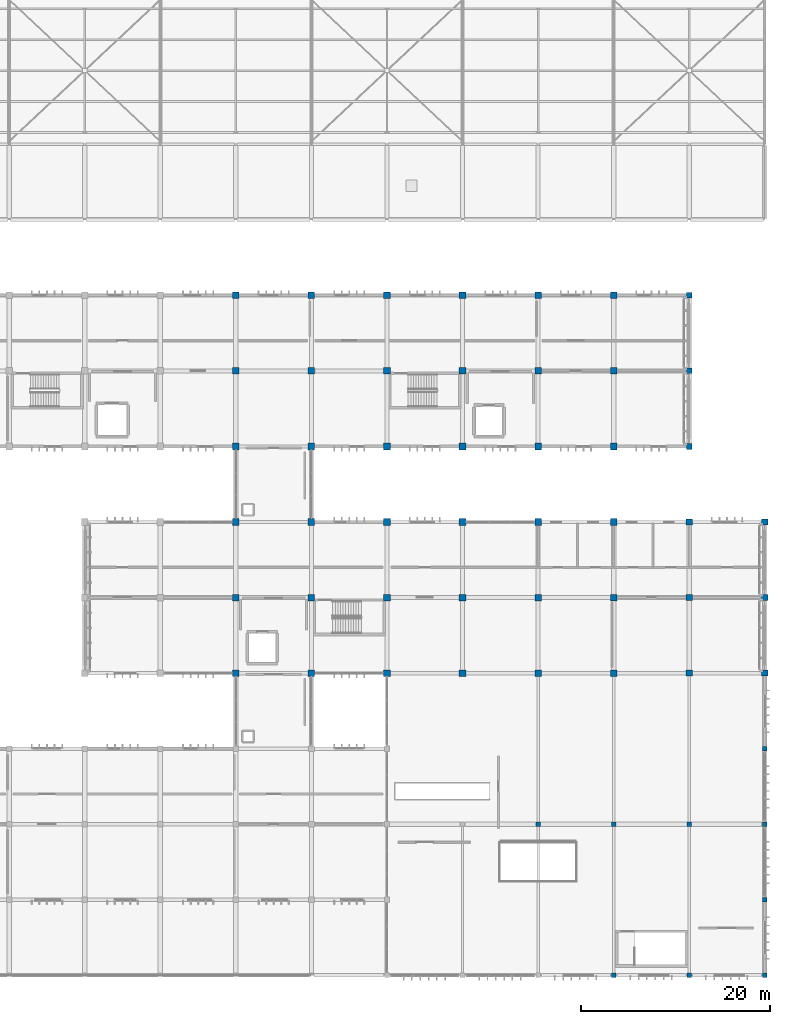
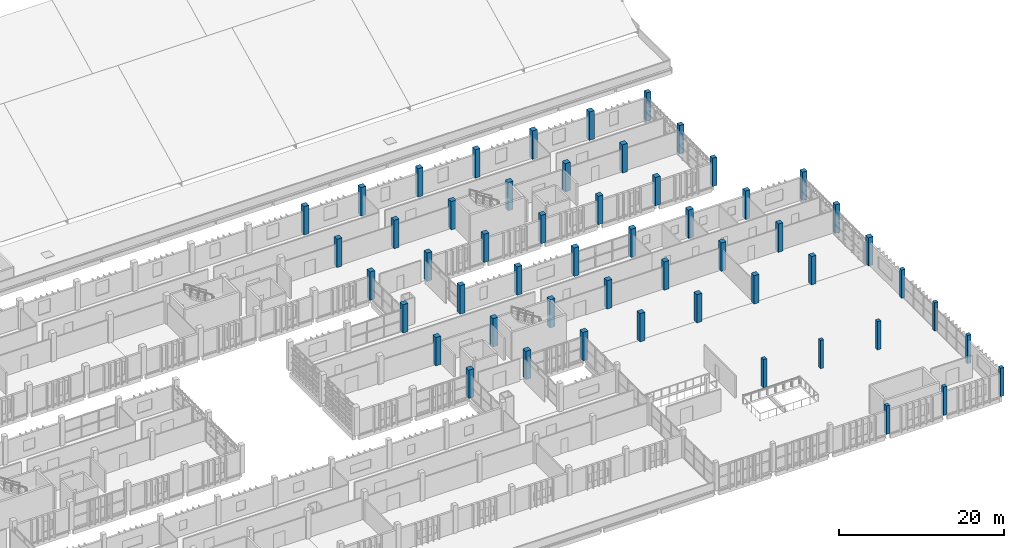
# One storey, part 7 of 137: 54 columns.
"""IFC4 building model written with IfcOpenShell, lengths in metres."""

from ifc_helpers import new_model, si_unit, direction, frame, origin, origin_2d, place, context, subcontext, project, spatial, rectangle, extrude, material, material_profile, profile_set, type_object, element, save


model = new_model("IFC4")

# Units and contexts
model_context = context("Model", 3, precision=1e-05, world=origin(), true_north=direction((0.0, 1.0)))
body_context = subcontext(model_context, "Body", "Model", "MODEL_VIEW")
ifc_project = project(units=[si_unit("LENGTHUNIT", "METRE"), si_unit("AREAUNIT", "SQUARE_METRE"), si_unit("VOLUMEUNIT", "CUBIC_METRE"), si_unit("PLANEANGLEUNIT", "RADIAN"), si_unit("MASSUNIT", "GRAM", prefix="KILO")], contexts=[model_context])

# Site, building, storey
site_placement = place(None, origin())
site = spatial("IfcSite", under=ifc_project, at=site_placement, CompositionType="ELEMENT")
building_placement = place(site_placement, origin())
building = spatial("IfcBuilding", under=site, at=building_placement, Name="Jelvoka-Kovrelna Polytechnic", CompositionType="ELEMENT")
storey_placement = place(building_placement, frame((0.0, 0.0, 9.60009765625)))
storey = spatial("IfcBuildingStorey", under=building, at=storey_placement, Name="L03", CompositionType="ELEMENT", Elevation=9.60009765625)

# Columns
ifc_material_1 = material(Name="Concrete C40/50", Category="concrete")
ifc_material_profile_1 = material_profile(ifc_material_1, rectangle(XDim=0.449951171875, YDim=0.449951171875, at=origin_2d()), Name="RC 450x450")
ifc_profile_set_1 = profile_set([ifc_material_profile_1], Name="Concrete C40/50")
column_type_1 = type_object("IfcColumnType", Name="Col_RC_450", PredefinedType="COLUMN", material=ifc_profile_set_1)
column_placement = place(storey_placement, frame((184.0, 16.0, 0.0), z_axis=(0.0, 0.0, 1.0), x_axis=(1.0, 0.0, 0.0)))
element("IfcColumn", 1, at=column_placement, inside=storey, type_object=column_type_1, Name="L03 column 0286", PredefinedType="COLUMN", context=body_context, shape_type="SweptSolid", body=[
    extrude(rectangle(XDim=0.449951171875, YDim=0.449951171875, at=origin_2d()), origin(), (0.0, 0.0, 1.0), 4.199951171875),
])
ifc_material_2 = material(Name="Concrete C40/50", Category="concrete")
ifc_material_profile_2 = material_profile(ifc_material_2, rectangle(XDim=0.5, YDim=0.5, at=origin_2d()), Name="RC 500x500")
ifc_profile_set_2 = profile_set([ifc_material_profile_2], Name="Concrete C40/50")
column_type_2 = type_object("IfcColumnType", Name="Col_RC_500", PredefinedType="COLUMN", material=ifc_profile_set_2)
for number, where, z_axis, x_axis, name in (
    (2, (184.0, 0.0, 0.0), (0.0, 0.0, 1.0), (0.0, 1.0, 0.0), "L03 column 0075"),
    (3, (192.0, 0.0, 0.0), (0.0, 0.0, 1.0), (0.0, 1.0, 0.0), "L03 column 0079"),
    (4, (200.0, 0.0, 0.0), (0.0, 0.0, 1.0), (0.0, 1.0, 0.0), "L03 column 0083"),
    (5, (200.0, 8.0, 0.0), (0.0, 0.0, 1.0), (0.0, 1.0, 0.0), "L03 column 0181"),
    (6, (176.0, 16.0, 0.0), (0.0, 0.0, 1.0), (1.0, 0.0, 0.0), "L03 column 0282"),
    (7, (192.0, 16.0, 0.0), (0.0, 0.0, 1.0), (1.0, 0.0, 0.0), "L03 column 0290"),
    (8, (200.0, 16.0, 0.0), (0.0, 0.0, 1.0), (0.0, 1.0, 0.0), "L03 column 0294"),
    (9, (200.0, 24.0, 0.0), (0.0, 0.0, 1.0), (0.0, 1.0, 0.0), "L03 column 0407"),
):
    element("IfcColumn", number, at=place(storey_placement, frame(where, z_axis=z_axis, x_axis=x_axis)), inside=storey, type_object=column_type_2, Name=name, PredefinedType="COLUMN", context=body_context, shape_type="SweptSolid", body=[
        extrude(rectangle(XDim=0.5, YDim=0.5, at=origin_2d()), origin(), (0.0, 0.0, 1.0), 4.199951171875),
    ])
ifc_material_3 = material(Name="Concrete C40/50", Category="concrete")
ifc_material_profile_3 = material_profile(ifc_material_3, rectangle(XDim=0.60009765625, YDim=0.60009765625, at=origin_2d()), Name="RC 600x600")
ifc_profile_set_3 = profile_set([ifc_material_profile_3], Name="Concrete C40/50")
column_type_3 = type_object("IfcColumnType", Name="Col_RC_600", PredefinedType="COLUMN", material=ifc_profile_set_3)
for number, where, z_axis, x_axis, name in (
    (10, (192.0, 56.0, 0.0), (0.0, 0.0, 1.0), (1.0, 0.0, 0.0), "L03 column 1130"),
    (11, (192.0, 64.0, 0.0), (0.0, 0.0, 1.0), (1.0, 0.0, 0.0), "L03 column 1297"),
    (12, (192.0, 72.0, 0.0), (0.0, 0.0, 1.0), (1.0, 0.0, 0.0), "L03 column 1458"),
):
    element("IfcColumn", number, at=place(storey_placement, frame(where, z_axis=z_axis, x_axis=x_axis)), inside=storey, type_object=column_type_3, Name=name, PredefinedType="COLUMN", context=body_context, shape_type="SweptSolid", body=[
        extrude(rectangle(XDim=0.60009765625, YDim=0.60009765625, at=origin_2d()), origin(), (0.0, 0.0, 1.0), 4.199951171875),
    ])
ifc_material_4 = material(Name="Concrete C40/50", Category="concrete")
ifc_material_profile_4 = material_profile(ifc_material_4, rectangle(XDim=0.64990234375, YDim=0.64990234375, at=origin_2d()), Name="RC 650x650")
ifc_profile_set_4 = profile_set([ifc_material_profile_4], Name="Concrete C40/50")
column_type_4 = type_object("IfcColumnType", Name="Col_RC_650", PredefinedType="COLUMN", material=ifc_profile_set_4)
for number, where, z_axis, x_axis, name in (
    (13, (192.0, 32.0, 0.0), (0.0, 0.0, 1.0), (1.0, 0.0, 0.0), "L03 column 0561"),
    (14, (200.0, 32.0, 0.0), (0.0, 0.0, 1.0), (1.0, 0.0, 0.0), "L03 column 0568"),
    (15, (192.0, 40.0, 0.0), (0.0, 0.0, 1.0), (1.0, 0.0, 0.0), "L03 column 0743"),
    (16, (200.0, 40.0, 0.0), (0.0, 0.0, 1.0), (1.0, 0.0, 0.0), "L03 column 0750"),
    (17, (192.0, 48.0, 0.0), (0.0, 0.0, 1.0), (1.0, 0.0, 0.0), "L03 column 0907"),
    (18, (200.0, 48.0, 0.0), (0.0, 0.0, 1.0), (1.0, 0.0, 0.0), "L03 column 0914"),
):
    element("IfcColumn", number, at=place(storey_placement, frame(where, z_axis=z_axis, x_axis=x_axis)), inside=storey, type_object=column_type_4, Name=name, PredefinedType="COLUMN", context=body_context, shape_type="SweptSolid", body=[
        extrude(rectangle(XDim=0.64990234375, YDim=0.64990234375, at=origin_2d()), origin(), (0.0, 0.0, 1.0), 4.199951171875),
    ])
ifc_material_5 = material(Name="Concrete C40/50", Category="concrete")
ifc_material_profile_5 = material_profile(ifc_material_5, rectangle(XDim=0.699951171875, YDim=0.699951171875, at=origin_2d()), Name="RC 700x700")
ifc_profile_set_5 = profile_set([ifc_material_profile_5], Name="Concrete C40/50")
column_type_5 = type_object("IfcColumnType", Name="Col_RC_700", PredefinedType="COLUMN", material=ifc_profile_set_5)
for number, where, z_axis, x_axis, name in (
    (19, (144.0, 32.0, 0.0), (0.0, 0.0, 1.0), (1.0, 0.0, 0.0), "L03 column 0513"),
    (20, (152.0, 32.0, 0.0), (0.0, 0.0, 1.0), (1.0, 0.0, 0.0), "L03 column 0521"),
    (21, (160.0, 32.0, 0.0), (0.0, 0.0, 1.0), (1.0, 0.0, 0.0), "L03 column 0529"),
    (22, (168.0, 32.0, 0.0), (0.0, 0.0, 1.0), (1.0, 0.0, 0.0), "L03 column 0537"),
    (23, (176.0, 32.0, 0.0), (0.0, 0.0, 1.0), (1.0, 0.0, 0.0), "L03 column 0545"),
    (24, (184.0, 32.0, 0.0), (0.0, 0.0, 1.0), (1.0, 0.0, 0.0), "L03 column 0553"),
    (25, (144.0, 40.0, 0.0), (0.0, 0.0, 1.0), (1.0, 0.0, 0.0), "L03 column 0695"),
    (26, (152.0, 40.0, 0.0), (0.0, 0.0, 1.0), (1.0, 0.0, 0.0), "L03 column 0703"),
    (27, (160.0, 40.0, 0.0), (0.0, 0.0, 1.0), (1.0, 0.0, 0.0), "L03 column 0711"),
    (28, (168.0, 40.0, 0.0), (0.0, 0.0, 1.0), (1.0, 0.0, 0.0), "L03 column 0719"),
    (29, (176.0, 40.0, 0.0), (0.0, 0.0, 1.0), (1.0, 0.0, 0.0), "L03 column 0727"),
    (30, (184.0, 40.0, 0.0), (0.0, 0.0, 1.0), (1.0, 0.0, 0.0), "L03 column 0735"),
    (31, (144.0, 48.0, 0.0), (0.0, 0.0, 1.0), (1.0, 0.0, 0.0), "L03 column 0859"),
    (32, (152.0, 48.0, 0.0), (0.0, 0.0, 1.0), (1.0, 0.0, 0.0), "L03 column 0867"),
    (33, (160.0, 48.0, 0.0), (0.0, 0.0, 1.0), (1.0, 0.0, 0.0), "L03 column 0875"),
    (34, (168.0, 48.0, 0.0), (0.0, 0.0, 1.0), (1.0, 0.0, 0.0), "L03 column 0883"),
    (35, (176.0, 48.0, 0.0), (0.0, 0.0, 1.0), (1.0, 0.0, 0.0), "L03 column 0891"),
    (36, (184.0, 48.0, 0.0), (0.0, 0.0, 1.0), (1.0, 0.0, 0.0), "L03 column 0899"),
    (37, (144.0, 56.0, 0.0), (0.0, 0.0, 1.0), (1.0, 0.0, 0.0), "L03 column 1076"),
    (38, (152.0, 56.0, 0.0), (0.0, 0.0, 1.0), (1.0, 0.0, 0.0), "L03 column 1085"),
    (39, (160.0, 56.0, 0.0), (0.0, 0.0, 1.0), (1.0, 0.0, 0.0), "L03 column 1094"),
    (40, (168.0, 56.0, 0.0), (0.0, 0.0, 1.0), (1.0, 0.0, 0.0), "L03 column 1103"),
    (41, (176.0, 56.0, 0.0), (0.0, 0.0, 1.0), (1.0, 0.0, 0.0), "L03 column 1112"),
    (42, (184.0, 56.0, 0.0), (0.0, 0.0, 1.0), (1.0, 0.0, 0.0), "L03 column 1121"),
    (43, (144.0, 64.0, 0.0), (0.0, 0.0, 1.0), (1.0, 0.0, 0.0), "L03 column 1243"),
    (44, (152.0, 64.0, 0.0), (0.0, 0.0, 1.0), (1.0, 0.0, 0.0), "L03 column 1252"),
    (45, (160.0, 64.0, 0.0), (0.0, 0.0, 1.0), (1.0, 0.0, 0.0), "L03 column 1261"),
    (46, (168.0, 64.0, 0.0), (0.0, 0.0, 1.0), (1.0, 0.0, 0.0), "L03 column 1270"),
    (47, (176.0, 64.0, 0.0), (0.0, 0.0, 1.0), (1.0, 0.0, 0.0), "L03 column 1279"),
    (48, (184.0, 64.0, 0.0), (0.0, 0.0, 1.0), (1.0, 0.0, 0.0), "L03 column 1288"),
    (49, (144.0, 72.0, 0.0), (0.0, 0.0, 1.0), (1.0, 0.0, 0.0), "L03 column 1404"),
    (50, (152.0, 72.0, 0.0), (0.0, 0.0, 1.0), (1.0, 0.0, 0.0), "L03 column 1413"),
    (51, (160.0, 72.0, 0.0), (0.0, 0.0, 1.0), (1.0, 0.0, 0.0), "L03 column 1422"),
    (52, (168.0, 72.0, 0.0), (0.0, 0.0, 1.0), (1.0, 0.0, 0.0), "L03 column 1431"),
    (53, (176.0, 72.0, 0.0), (0.0, 0.0, 1.0), (1.0, 0.0, 0.0), "L03 column 1440"),
    (54, (184.0, 72.0, 0.0), (0.0, 0.0, 1.0), (1.0, 0.0, 0.0), "L03 column 1449"),
):
    element("IfcColumn", number, at=place(storey_placement, frame(where, z_axis=z_axis, x_axis=x_axis)), inside=storey, type_object=column_type_5, Name=name, PredefinedType="COLUMN", context=body_context, shape_type="SweptSolid", body=[
        extrude(rectangle(XDim=0.699951171875, YDim=0.699951171875, at=origin_2d()), origin(), (0.0, 0.0, 1.0), 4.199951171875),
    ])

save(model, "model.ifc")
